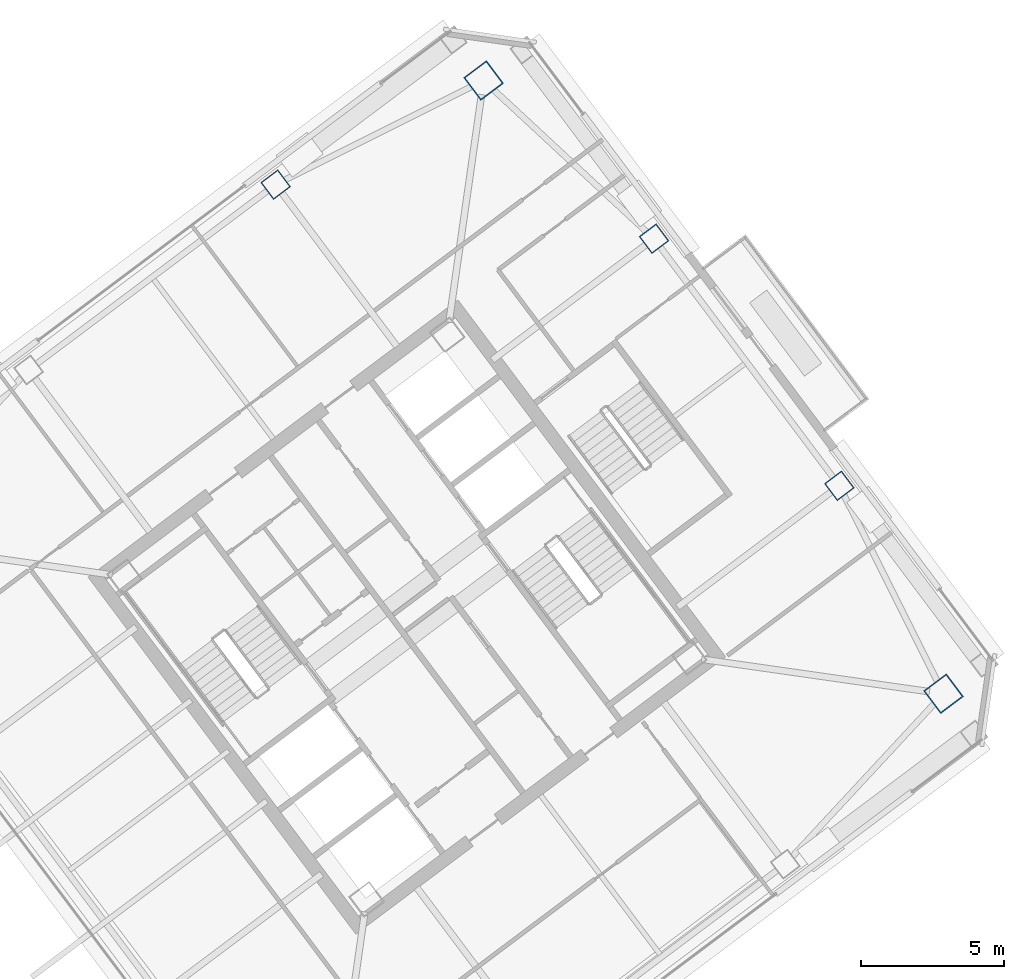
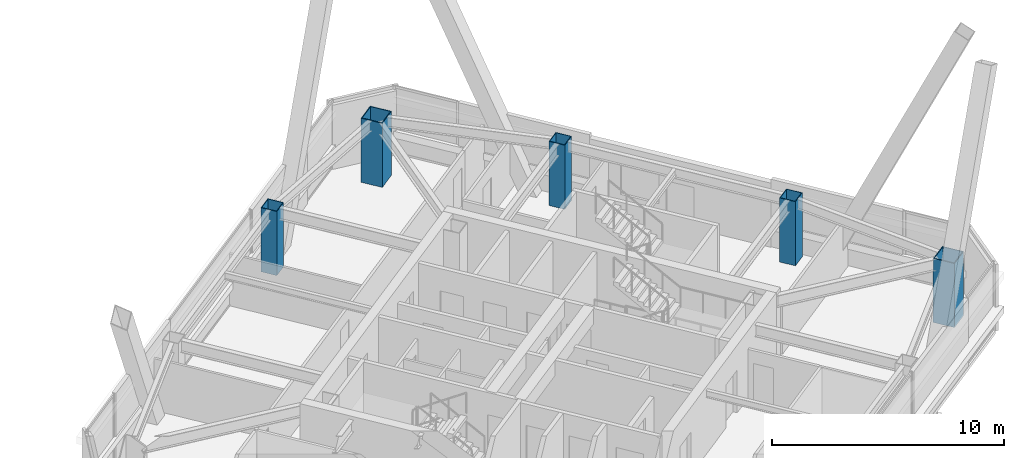
# One storey, part 2 of 56: 5 columns.
"""IFC4 building model written with IfcOpenShell, lengths in metres."""

from ifc_helpers import new_model, si_unit, direction, frame, origin, origin_2d, place, context, subcontext, project, spatial, hollow_rectangle, extrude, material, material_profile, profile_set, type_object, element, save


model = new_model("IFC4")

# Units and contexts
model_context = context("Model", 3, precision=1e-05, world=origin(), true_north=direction((0.0, 1.0)))
body_context = subcontext(model_context, "Body", "Model", "MODEL_VIEW")
ifc_project = project(units=[si_unit("LENGTHUNIT", "METRE"), si_unit("AREAUNIT", "SQUARE_METRE"), si_unit("VOLUMEUNIT", "CUBIC_METRE"), si_unit("PLANEANGLEUNIT", "RADIAN"), si_unit("MASSUNIT", "GRAM", prefix="KILO")], contexts=[model_context])

# Site, building, storey
site_placement = place(None, origin())
site = spatial("IfcSite", under=ifc_project, at=site_placement, CompositionType="ELEMENT")
building_placement = place(site_placement, origin())
building = spatial("IfcBuilding", under=site, at=building_placement, Name="Tashvorn Skyway Center", CompositionType="ELEMENT")
storey_placement = place(building_placement, frame((0.0, 0.0, 218.39990234375)))
storey = spatial("IfcBuildingStorey", under=building, at=storey_placement, Name="L59", CompositionType="ELEMENT", Elevation=218.39990234375)

# Columns
ifc_material = material(Name="Steel ASTM A572 Grade 50", Category="steel")
ifc_material_profile_1 = material_profile(ifc_material, hollow_rectangle(XDim=1.0, YDim=1.0, WallThickness=0.0400390625, at=origin_2d()), Name="BOX1000x1000x40")
ifc_profile_set_1 = profile_set([ifc_material_profile_1], Name="Steel ASTM A572 Grade 50")
column_type_1 = type_object("IfcColumnType", Name="COL-BOX1000x1000x40", PredefinedType="COLUMN", material=ifc_profile_set_1)
for number, where, z_axis, x_axis, name in (
    (1, (132.760009765625, 29.320068359375, 0.0), (0.0, 0.0, 1.0), (0.799999996291, 0.600000004945, 0.0), "Tower 2 L59 Mega-Column MC-SE"),
    (2, (116.679931640625, 50.760009765625, 0.0), (0.0, 0.0, 1.0), (0.799999996291, 0.600000004945, 0.0), "Tower 2 L59 Mega-Column MC-NE"),
):
    element("IfcColumn", number, at=place(storey_placement, frame(where, z_axis=z_axis, x_axis=x_axis)), inside=storey, type_object=column_type_1, Name=name, PredefinedType="COLUMN", context=body_context, shape_type="SweptSolid", body=[
        extrude(hollow_rectangle(XDim=1.0, YDim=1.0, WallThickness=0.0400390625, at=origin_2d()), origin(), (0.0, 0.0, 1.0), 3.3701171875),
    ])
ifc_material_profile_2 = material_profile(ifc_material, hollow_rectangle(XDim=0.75, YDim=0.75, WallThickness=0.031982421875, at=origin_2d()), Name="BOX750x750x32")
ifc_profile_set_2 = profile_set([ifc_material_profile_2], Name="Steel ASTM A572 Grade 50")
column_type_2 = type_object("IfcColumnType", Name="COL-BOX750x750x32", PredefinedType="COLUMN", material=ifc_profile_set_2)
for number, where, z_axis, x_axis, name in (
    (3, (129.1201171875, 36.590087890625, 0.0), (0.0, 0.0, 1.0), (0.799999996291, 0.600000004945, 0.0), "Tower 2 L59 Perimeter Column FC-E1"),
    (4, (122.639892578125, 45.22998046875, 0.0), (0.0, 0.0, 1.0), (0.799999996291, 0.600000004945, 0.0), "Tower 2 L59 Perimeter Column FC-E2"),
    (5, (109.409912109375, 47.1201171875, 0.0), (0.0, 0.0, 1.0), (0.799999996291, 0.600000004945, 0.0), "Tower 2 L59 Perimeter Column FC-N1"),
):
    element("IfcColumn", number, at=place(storey_placement, frame(where, z_axis=z_axis, x_axis=x_axis)), inside=storey, type_object=column_type_2, Name=name, PredefinedType="COLUMN", context=body_context, shape_type="SweptSolid", body=[
        extrude(hollow_rectangle(XDim=0.75, YDim=0.75, WallThickness=0.031982421875, at=origin_2d()), origin(), (0.0, 0.0, 1.0), 3.3701171875),
    ])

save(model, "model.ifc")
